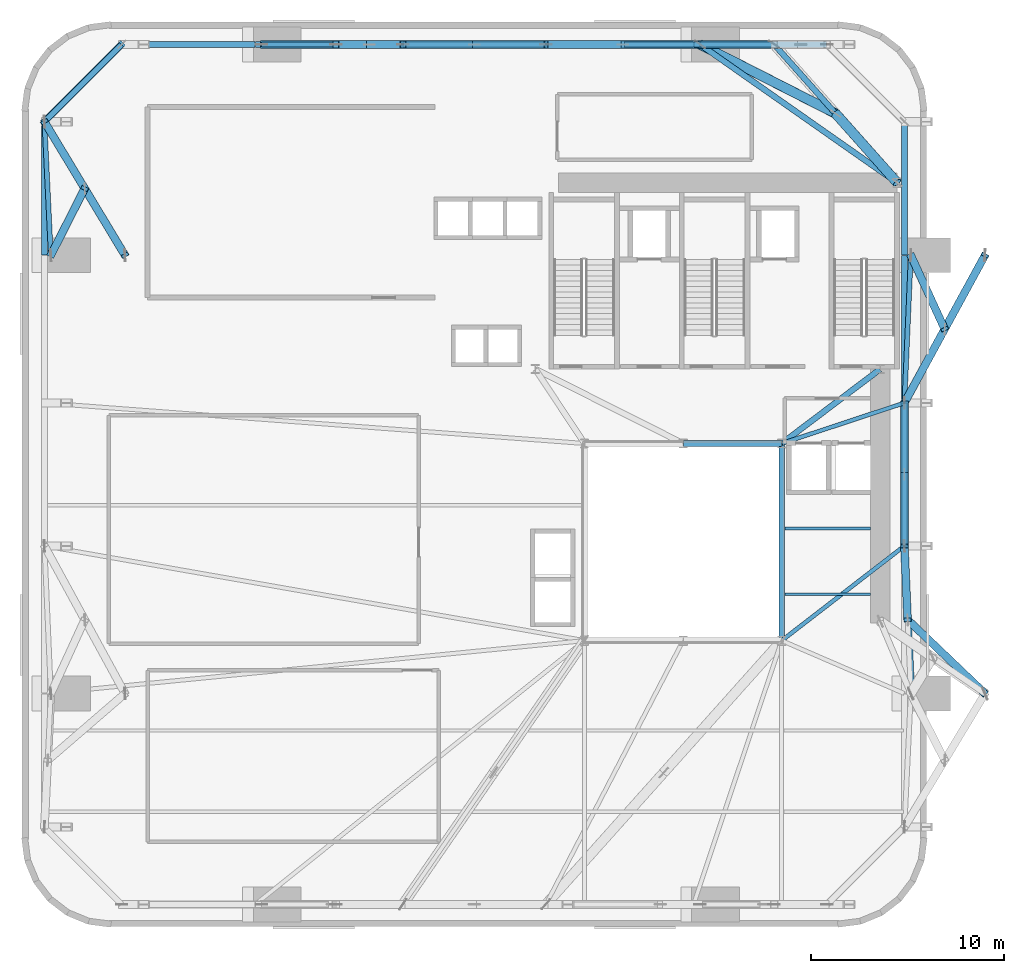
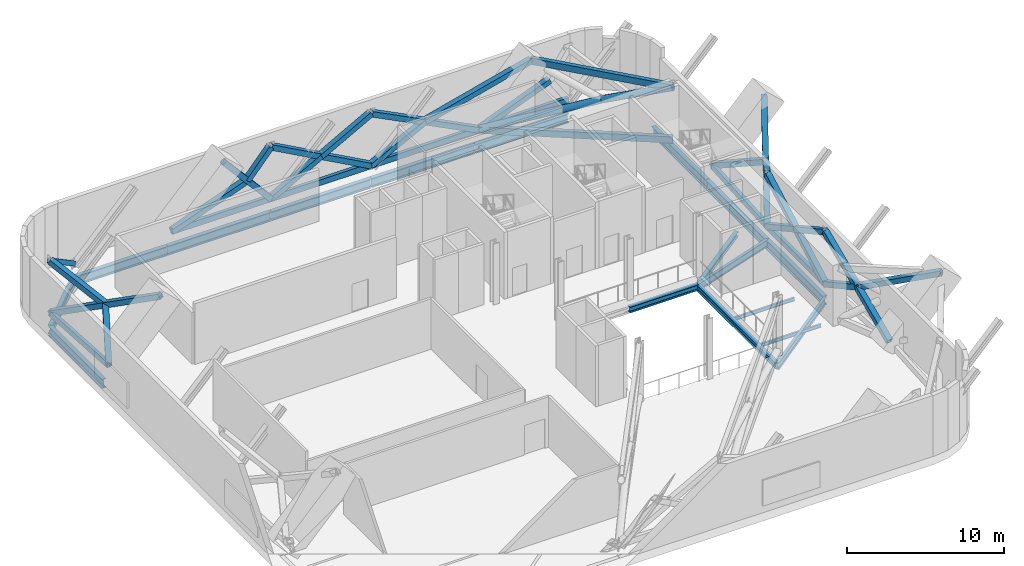
# One storey, part 3 of 12: 34 members, 17 beams.
"""IFC4 building model written with IfcOpenShell, lengths in metres."""

from ifc_helpers import new_model, si_unit, direction, frame, origin, origin_2d, place, context, subcontext, project, spatial, hollow_rectangle, hollow_circle, i_section, extrude, source, transform, mapped, material, material_profile, profile_set, type_object, element, save


model = new_model("IFC4")

# Units and contexts
model_context = context("Model", 3, precision=1e-05, world=origin(), true_north=direction((0.0, 1.0)))
body_context = subcontext(model_context, "Body", "Model", "MODEL_VIEW")
ifc_project = project(units=[si_unit("LENGTHUNIT", "METRE"), si_unit("AREAUNIT", "SQUARE_METRE"), si_unit("VOLUMEUNIT", "CUBIC_METRE"), si_unit("PLANEANGLEUNIT", "RADIAN"), si_unit("MASSUNIT", "GRAM", prefix="KILO")], contexts=[model_context])

# Site, building, storey
site_placement = place(None, origin())
site = spatial("IfcSite", under=ifc_project, at=site_placement, CompositionType="ELEMENT")
building_placement = place(site_placement, origin())
building = spatial("IfcBuilding", under=site, at=building_placement, Name="Vardaveli Station Tower", CompositionType="ELEMENT")
storey_placement = place(building_placement, frame((0.0, 0.0, 93.300048828125)))
storey = spatial("IfcBuildingStorey", under=building, at=storey_placement, Name="L24", CompositionType="ELEMENT", Elevation=93.300048828125)

# Beams
ifc_material_1 = material(Name="Structural steel S355J2", Category="steel")
ifc_material_profile_1 = material_profile(ifc_material_1, i_section(OverallWidth=0.300048828125, OverallDepth=0.449951171875, WebThickness=0.013916015625, FlangeThickness=0.02587890625, FilletRadius=0.027099609375, at=origin_2d()), Name="HEB 450")
ifc_profile_set_1 = profile_set([ifc_material_profile_1], Name="Structural steel S355J2")
beam_type_1 = type_object("IfcBeamType", Name="BM-HEB450", PredefinedType="BEAM", material=ifc_profile_set_1)
shared_shape_1 = source(origin(), body_context, "Body", "SweptSolid", [
    extrude(i_section(OverallWidth=0.300048828125, OverallDepth=0.449951171875, WebThickness=0.013916015625, FlangeThickness=0.02587890625, FilletRadius=0.027099609375, at=origin_2d()), origin(), (0.0, 0.0, 1.0), 5.059814453125),
])
beam_1_placement = place(storey_placement, frame((41.3798828125, 26.800048828125, -0.875), z_axis=(-1.0, 0.0, 0.0), x_axis=(0.0, -1.0, 0.0)))
element("IfcBeam", 1, at=beam_1_placement, inside=storey, type_object=beam_type_1, Name="ABM-L24-04", PredefinedType="BEAM", context=body_context, shape_type="MappedRepresentation", body=[
    mapped(shared_shape_1, transform((0.0, 0.0, 0.0), scale=1.0)),
])
shared_shape_2 = source(origin(), body_context, "Body", "SweptSolid", [
    extrude(i_section(OverallWidth=0.300048828125, OverallDepth=0.449951171875, WebThickness=0.013916015625, FlangeThickness=0.02587890625, FilletRadius=0.027099609375, at=origin_2d()), origin(), (0.0, 0.0, 1.0), 10.159912109375),
])
beam_2_placement = place(storey_placement, frame((41.39990234375, 16.6201171875, -0.875), z_axis=(0.0, 1.0, 0.0), x_axis=(-1.0, 0.0, 0.0)))
element("IfcBeam", 2, at=beam_2_placement, inside=storey, type_object=beam_type_1, Name="ABM-L24-03", PredefinedType="BEAM", context=body_context, shape_type="MappedRepresentation", body=[
    mapped(shared_shape_2, transform((0.0, 0.0, 0.0), scale=1.0)),
])
ifc_material_profile_2 = material_profile(ifc_material_1, i_section(OverallWidth=0.300048828125, OverallDepth=0.360107421875, WebThickness=0.012451171875, FlangeThickness=0.0224609375, FilletRadius=0.027099609375, at=origin_2d()), Name="HEB 360")
ifc_profile_set_2 = profile_set([ifc_material_profile_2], Name="Structural steel S355J2")
beam_type_2 = type_object("IfcBeamType", Name="BM-HEB360", PredefinedType="BEAM", material=ifc_profile_set_2)
shared_shape_3 = source(origin(), body_context, "Body", "SweptSolid", [
    extrude(i_section(OverallWidth=0.300048828125, OverallDepth=0.360107421875, WebThickness=0.012451171875, FlangeThickness=0.0224609375, FilletRadius=0.027099609375, at=origin_2d()), origin(), (0.0, 0.0, 1.0), 6.35009765625),
])
beam_3_placement = place(storey_placement, frame((41.416015625, 26.81201171875, -0.830078125), z_axis=(0.798118337722, 0.602500721154, 0.0), x_axis=(-0.602500721154, 0.798118337722, 0.0)))
element("IfcBeam", 3, at=beam_3_placement, inside=storey, type_object=beam_type_2, Name="CBM-L24-02", PredefinedType="BEAM", context=body_context, shape_type="MappedRepresentation", body=[
    mapped(shared_shape_3, transform((0.0, 0.0, 0.0), scale=1.0)),
])
ifc_material_profile_3 = material_profile(ifc_material_1, i_section(OverallWidth=0.135009765625, OverallDepth=0.27001953125, WebThickness=0.006591796875, FlangeThickness=0.01025390625, FilletRadius=0.014892578125, at=origin_2d()), Name="IPE 270")
ifc_profile_set_3 = profile_set([ifc_material_profile_3], Name="Structural steel S355J2")
beam_type_3 = type_object("IfcBeamType", Name="BM-IPE270", PredefinedType="BEAM", material=ifc_profile_set_3)
shared_shape_4 = source(origin(), body_context, "Body", "SweptSolid", [
    extrude(i_section(OverallWidth=0.135009765625, OverallDepth=0.27001953125, WebThickness=0.006591796875, FlangeThickness=0.01025390625, FilletRadius=0.014892578125, at=origin_2d()), origin(), (0.0, 0.0, 1.0), 4.43017578125),
])
for number, where, z_axis, x_axis, name in (
    (4, (41.56494140625, 19.0, -0.78515625), (1.0, 0.0, 0.0), (0.0, 1.0, 0.0), "TJ-L24-01"),
    (5, (41.56494140625, 22.39990234375, -0.78515625), (1.0, 0.0, 0.0), (0.0, 1.0, 0.0), "TJ-L24-02"),
):
    element("IfcBeam", number, at=place(storey_placement, frame(where, z_axis=z_axis, x_axis=x_axis)), inside=storey, type_object=beam_type_3, Name=name, PredefinedType="BEAM", context=body_context, shape_type="MappedRepresentation", body=[
        mapped(shared_shape_4, transform((0.0, 0.0, 0.0), scale=1.0)),
    ])
ifc_material_2 = material(Name="Structural steel S460M", Category="steel")
ifc_material_profile_4 = material_profile(ifc_material_2, i_section(OverallWidth=0.303955078125, OverallDepth=0.716064453125, WebThickness=0.02099609375, FlangeThickness=0.0400390625, FilletRadius=0.027099609375, at=origin_2d()), Name="HEM 700")
ifc_profile_set_4 = profile_set([ifc_material_profile_4], Name="Structural steel S460M")
beam_type_4 = type_object("IfcBeamType", Name="BM-HEM700", PredefinedType="BEAM", material=ifc_profile_set_4)
shared_shape_5 = source(origin(), body_context, "Body", "SweptSolid", [
    extrude(i_section(OverallWidth=0.303955078125, OverallDepth=0.716064453125, WebThickness=0.02099609375, FlangeThickness=0.0400390625, FilletRadius=0.027099609375, at=origin_2d()), origin(), (0.0, 0.0, 1.0), 7.60009765625),
])
for number, where, z_axis, x_axis, name in (
    (6, (47.75, 28.919921875, -1.008056640625), (0.0, 1.0, 0.0), (-1.0, 0.0, 0.0), "RBM-L24-09"),
    (7, (36.820068359375, 47.449951171875, -1.008056640625), (-1.0, 0.0, 0.0), (0.0, -1.0, 0.0), "RBM-L24-13"),
    (8, (21.780029296875, 47.449951171875, -1.008056640625), (-1.0, 0.0, 0.0), (0.0, -1.0, 0.0), "RBM-L24-15"),
):
    element("IfcBeam", number, at=place(storey_placement, frame(where, z_axis=z_axis, x_axis=x_axis)), inside=storey, type_object=beam_type_4, Name=name, PredefinedType="BEAM", context=body_context, shape_type="MappedRepresentation", body=[
        mapped(shared_shape_5, transform((0.0, 0.0, 0.0), scale=1.0)),
    ])
shared_shape_6 = source(origin(), body_context, "Body", "SweptSolid", [
    extrude(i_section(OverallWidth=0.303955078125, OverallDepth=0.716064453125, WebThickness=0.02099609375, FlangeThickness=0.0400390625, FilletRadius=0.027099609375, at=origin_2d()), origin(), (0.0, 0.0, 1.0), 7.35986328125),
])
for number, where, z_axis, x_axis, name in (
    (9, (47.75, 21.52001953125, -1.008056640625), (0.0, 1.0, 0.0), (-1.0, 0.0, 0.0), "RBM-L24-08"),
    (10, (29.179931640625, 47.449951171875, -1.008056640625), (-1.0, 0.0, 0.0), (0.0, -1.0, 0.0), "RBM-L24-14"),
):
    element("IfcBeam", number, at=place(storey_placement, frame(where, z_axis=z_axis, x_axis=x_axis)), inside=storey, type_object=beam_type_4, Name=name, PredefinedType="BEAM", context=body_context, shape_type="MappedRepresentation", body=[
        mapped(shared_shape_6, transform((0.0, 0.0, 0.0), scale=1.0)),
    ])
shared_shape_7 = source(origin(), body_context, "Body", "SweptSolid", [
    extrude(i_section(OverallWidth=0.303955078125, OverallDepth=0.716064453125, WebThickness=0.02099609375, FlangeThickness=0.0400390625, FilletRadius=0.027099609375, at=origin_2d()), origin(), (0.0, 0.0, 1.0), 6.869873046875),
])
for number, where, z_axis, x_axis, name in (
    (11, (47.75, 36.56005859375, -1.008056640625), (0.0, 1.0, 0.0), (-1.0, 0.0, 0.0), "RBM-L24-10"),
    (12, (43.72998046875, 47.449951171875, -1.008056640625), (-1.0, 0.0, 0.0), (0.0, -1.0, 0.0), "RBM-L24-12"),
    (13, (14.139892578125, 47.449951171875, -1.008056640625), (-1.0, 0.0, 0.0), (0.0, -1.0, 0.0), "RBM-L24-16"),
    (14, (3.25, 43.429931640625, -1.008056640625), (0.0, -1.0, 0.0), (1.0, 0.0, 0.0), "RBM-L24-18"),
):
    element("IfcBeam", number, at=place(storey_placement, frame(where, z_axis=z_axis, x_axis=x_axis)), inside=storey, type_object=beam_type_4, Name=name, PredefinedType="BEAM", context=body_context, shape_type="MappedRepresentation", body=[
        mapped(shared_shape_7, transform((0.0, 0.0, 0.0), scale=1.0)),
    ])
shared_shape_8 = source(origin(), body_context, "Body", "SweptSolid", [
    extrude(i_section(OverallWidth=0.303955078125, OverallDepth=0.716064453125, WebThickness=0.02099609375, FlangeThickness=0.0400390625, FilletRadius=0.027099609375, at=origin_2d()), origin(), (0.0, 0.0, 1.0), 5.61669921875),
])
beam_4_placement = place(storey_placement, frame((7.23583984375, 47.435791015625, -1.008056640625), z_axis=(-0.707106781187, -0.707106781187, 0.0), x_axis=(0.707106781187, -0.707106781187, 0.0)))
element("IfcBeam", 15, at=beam_4_placement, inside=storey, type_object=beam_type_4, Name="RBM-L24-17", PredefinedType="BEAM", context=body_context, shape_type="MappedRepresentation", body=[
    mapped(shared_shape_8, transform((0.0, 0.0, 0.0), scale=1.0)),
])
ifc_material_profile_5 = material_profile(ifc_material_1, i_section(OverallWidth=0.2099609375, OverallDepth=0.550048828125, WebThickness=0.010986328125, FlangeThickness=0.01708984375, FilletRadius=0.02392578125, at=origin_2d()), Name="IPE 550")
ifc_profile_set_5 = profile_set([ifc_material_profile_5], Name="Structural steel S355J2")
beam_type_5 = type_object("IfcBeamType", Name="BM-IPE550", PredefinedType="BEAM", material=ifc_profile_set_5)
shared_shape_9 = source(origin(), body_context, "Body", "SweptSolid", [
    extrude(i_section(OverallWidth=0.2099609375, OverallDepth=0.550048828125, WebThickness=0.010986328125, FlangeThickness=0.01708984375, FilletRadius=0.02392578125, at=origin_2d()), origin(), (0.0, 0.0, 1.0), 7.980712890625),
])
beam_5_placement = place(storey_placement, frame((47.734130859375, 21.48779296875, -0.925048828125), z_axis=(-0.791701934907, -0.610907559509, 0.0), x_axis=(0.610907559509, -0.791701934907, 0.0)))
element("IfcBeam", 16, at=beam_5_placement, inside=storey, type_object=beam_type_5, Name="GBM-L24-06", PredefinedType="BEAM", context=body_context, shape_type="MappedRepresentation", body=[
    mapped(shared_shape_9, transform((0.0, 0.0, 0.0), scale=1.0)),
])
shared_shape_10 = source(origin(), body_context, "Body", "SweptSolid", [
    extrude(i_section(OverallWidth=0.2099609375, OverallDepth=0.550048828125, WebThickness=0.010986328125, FlangeThickness=0.01708984375, FilletRadius=0.02392578125, at=origin_2d()), origin(), (0.0, 0.0, 1.0), 6.648193359375),
])
beam_6_placement = place(storey_placement, frame((47.73095703125, 28.893798828125, -0.925048828125), z_axis=(-0.949429779906, -0.313979446824, 0.0), x_axis=(0.313979446824, -0.949429779906, 0.0)))
element("IfcBeam", 17, at=beam_6_placement, inside=storey, type_object=beam_type_5, Name="GBM-L24-07", PredefinedType="BEAM", context=body_context, shape_type="MappedRepresentation", body=[
    mapped(shared_shape_10, transform((0.0, 0.0, 0.0), scale=1.0)),
])

# Members
ifc_material_profile_6 = material_profile(ifc_material_2, hollow_rectangle(XDim=0.300048828125, YDim=0.5, WallThickness=0.02001953125, at=origin_2d()), Name="RHS 500x300x20")
ifc_profile_set_6 = profile_set([ifc_material_profile_6], Name="Structural steel S460M")
member_type_1 = type_object("IfcMemberType", Name="MEM-CH-RHS500", PredefinedType="CHORD", material=ifc_profile_set_6)
shared_shape_11 = source(origin(), body_context, "Body", "SweptSolid", [
    extrude(hollow_rectangle(XDim=0.300048828125, YDim=0.5, WallThickness=0.02001953125, at=origin_2d()), origin(), (0.0, 0.0, 1.0), 12.455078125),
])
member_1_placement = place(storey_placement, frame((47.3701171875, 40.300048828125, 0.349853515625), z_axis=(-0.818818231913, 0.574052874819, 0.0), x_axis=(-0.574052874819, -0.818818231913, 0.0)))
element("IfcMember", 18, at=member_1_placement, inside=storey, type_object=member_type_1, Name="OUT-L24-OA4-CHB", PredefinedType="CHORD", context=body_context, shape_type="MappedRepresentation", body=[
    mapped(shared_shape_11, transform((0.0, 0.0, 0.0), scale=1.0)),
])
shared_shape_12 = source(origin(), body_context, "Body", "SweptSolid", [
    extrude(hollow_rectangle(XDim=0.300048828125, YDim=0.5, WallThickness=0.02001953125, at=origin_2d()), origin(), (0.0, 0.0, 1.0), 9.570556640625),
])
member_2_placement = place(storey_placement, frame((47.3701171875, 40.300048828125, 4.39990234375), z_axis=(-0.664734264995, 0.747079886586, 0.0), x_axis=(-0.747079886586, -0.664734264995, 0.0)))
element("IfcMember", 19, at=member_2_placement, inside=storey, type_object=member_type_1, Name="OUT-L24-OA4-CHT", PredefinedType="CHORD", context=body_context, shape_type="MappedRepresentation", body=[
    mapped(shared_shape_12, transform((0.0, 0.0, 0.0), scale=1.0)),
])
ifc_material_profile_7 = material_profile(ifc_material_2, hollow_circle(Radius=0.25390625, WallThickness=0.02490234375, at=origin_2d()), Name="CHS 508x25")
ifc_profile_set_7 = profile_set([ifc_material_profile_7], Name="Structural steel S460M")
member_type_2 = type_object("IfcMemberType", Name="MEM-BR-CHS508", PredefinedType="BRACE", material=ifc_profile_set_7)
shared_shape_13 = source(origin(), body_context, "Body", "SweptSolid", [
    extrude(hollow_circle(Radius=0.25390625, WallThickness=0.02490234375, at=origin_2d()), origin(), (0.0, 0.0, 1.0), 8.1318359375),
])
member_3_placement = place(storey_placement, frame((37.171630859375, 47.449951171875, 0.349853515625), z_axis=(0.862968415296, -0.439620320943, 0.24903712096), x_axis=(0.453921602039, 0.891041625965, 0.0)))
element("IfcMember", 20, at=member_3_placement, inside=storey, type_object=member_type_2, Name="OUT-L24-OA4-D2A", PredefinedType="BRACE", context=body_context, shape_type="MappedRepresentation", body=[
    mapped(shared_shape_13, transform((0.0, 0.0, 0.0), scale=1.0)),
])
shared_shape_14 = source(origin(), body_context, "Body", "SweptSolid", [
    extrude(hollow_circle(Radius=0.25390625, WallThickness=0.02490234375, at=origin_2d()), origin(), (0.0, 0.0, 1.0), 5.196044921875),
])
member_4_placement = place(storey_placement, frame((44.189208984375, 43.875, 2.375), z_axis=(0.612181006743, -0.688016461872, 0.389702146744), x_axis=(0.747079886586, 0.664734264995, 0.0)))
element("IfcMember", 21, at=member_4_placement, inside=storey, type_object=member_type_2, Name="OUT-L24-OA4-D2B", PredefinedType="BRACE", context=body_context, shape_type="MappedRepresentation", body=[
    mapped(shared_shape_14, transform((0.0, 0.0, 0.0), scale=1.0)),
])
ifc_material_profile_8 = material_profile(ifc_material_2, hollow_rectangle(XDim=0.25, YDim=0.449951171875, WallThickness=0.01611328125, at=origin_2d()), Name="RHS 450x250x16")
ifc_profile_set_8 = profile_set([ifc_material_profile_8], Name="Structural steel S460M")
member_type_3 = type_object("IfcMemberType", Name="MEM-CH-RHS450", PredefinedType="CHORD", material=ifc_profile_set_8)
shared_shape_15 = source(origin(), body_context, "Body", "SweptSolid", [
    extrude(hollow_rectangle(XDim=0.25, YDim=0.449951171875, WallThickness=0.01611328125, at=origin_2d()), origin(), (0.0, 0.0, 1.0), 7.308349609375),
])
member_5_placement = place(storey_placement, frame((21.800048828125, 47.449951171875, 0.349853515625), z_axis=(-1.0, 0.0, 0.0), x_axis=(0.0, -1.0, 0.0)))
element("IfcMember", 22, at=member_5_placement, inside=storey, type_object=member_type_3, Name="BLT-L24-CH-12", PredefinedType="CHORD", context=body_context, shape_type="MappedRepresentation", body=[
    mapped(shared_shape_15, transform((0.0, 0.0, 0.0), scale=1.0)),
])
shared_shape_16 = source(origin(), body_context, "Body", "SweptSolid", [
    extrude(hollow_rectangle(XDim=0.25, YDim=0.449951171875, WallThickness=0.01611328125, at=origin_2d()), origin(), (0.0, 0.0, 1.0), 7.39990234375),
])
for number, where, z_axis, x_axis, name in (
    (23, (47.75, 21.5, 0.349853515625), (0.0, 1.0, 0.0), (-1.0, 0.0, 0.0), "BLT-L24-CH-07"),
    (24, (29.199951171875, 47.449951171875, 0.349853515625), (-1.0, 0.0, 0.0), (0.0, -1.0, 0.0), "BLT-L24-CH-11"),
):
    element("IfcMember", number, at=place(storey_placement, frame(where, z_axis=z_axis, x_axis=x_axis)), inside=storey, type_object=member_type_3, Name=name, PredefinedType="CHORD", context=body_context, shape_type="MappedRepresentation", body=[
        mapped(shared_shape_16, transform((0.0, 0.0, 0.0), scale=1.0)),
    ])
ifc_material_profile_9 = material_profile(ifc_material_2, hollow_rectangle(XDim=0.39990234375, YDim=0.39990234375, WallThickness=0.02001953125, at=origin_2d()), Name="RHS 400x400x20")
ifc_profile_set_9 = profile_set([ifc_material_profile_9], Name="Structural steel S460M")
member_type_4 = type_object("IfcMemberType", Name="MEM-BR-RHS400", PredefinedType="BRACE", material=ifc_profile_set_9)
shared_shape_17 = source(origin(), body_context, "Body", "SweptSolid", [
    extrude(hollow_rectangle(XDim=0.39990234375, YDim=0.39990234375, WallThickness=0.02001953125, at=origin_2d()), origin(), (0.0, 0.0, 1.0), 8.435791015625),
])
for number, where, z_axis, x_axis, name in (
    (25, (47.75, 21.5, 0.349853515625), (0.0, 0.877210039359, 0.480106807751), (-1.0, 0.0, 0.0), "BLT-L24-D1-07"),
    (26, (29.199951171875, 47.449951171875, 0.349853515625), (-0.877210039359, 0.0, 0.480106807751), (0.0, -1.0, 0.0), "BLT-L24-D1-11"),
):
    element("IfcMember", number, at=place(storey_placement, frame(where, z_axis=z_axis, x_axis=x_axis)), inside=storey, type_object=member_type_4, Name=name, PredefinedType="BRACE", context=body_context, shape_type="MappedRepresentation", body=[
        mapped(shared_shape_17, transform((0.0, 0.0, 0.0), scale=1.0)),
    ])
shared_shape_18 = source(origin(), body_context, "Body", "SweptSolid", [
    extrude(hollow_rectangle(XDim=0.39990234375, YDim=0.39990234375, WallThickness=0.02001953125, at=origin_2d()), origin(), (0.0, 0.0, 1.0), 4.218017578125),
])
for number, where, z_axis, x_axis, name in (
    (27, (47.75, 28.89990234375, 0.349853515625), (0.0, -0.877197850497, 0.480129077524), (1.0, 0.0, 0.0), "BLT-L24-D2A-07"),
    (28, (21.800048828125, 47.449951171875, 0.349853515625), (0.877197850497, 0.0, 0.480129077524), (0.0, 1.0, 0.0), "BLT-L24-D2A-11"),
):
    element("IfcMember", number, at=place(storey_placement, frame(where, z_axis=z_axis, x_axis=x_axis)), inside=storey, type_object=member_type_4, Name=name, PredefinedType="BRACE", context=body_context, shape_type="MappedRepresentation", body=[
        mapped(shared_shape_18, transform((0.0, 0.0, 0.0), scale=1.0)),
    ])
shared_shape_19 = source(origin(), body_context, "Body", "SweptSolid", [
    extrude(hollow_rectangle(XDim=0.39990234375, YDim=0.39990234375, WallThickness=0.02001953125, at=origin_2d()), origin(), (0.0, 0.0, 1.0), 4.2177734375),
])
for number, where, z_axis, x_axis, name in (
    (29, (47.75, 25.199951171875, 2.375), (0.0, -0.877222227994, 0.480084537049), (1.0, 0.0, 0.0), "BLT-L24-D2B-07"),
    (30, (25.5, 47.449951171875, 2.375), (0.877222227994, 0.0, 0.480084537049), (0.0, 1.0, 0.0), "BLT-L24-D2B-11"),
):
    element("IfcMember", number, at=place(storey_placement, frame(where, z_axis=z_axis, x_axis=x_axis)), inside=storey, type_object=member_type_4, Name=name, PredefinedType="BRACE", context=body_context, shape_type="MappedRepresentation", body=[
        mapped(shared_shape_19, transform((0.0, 0.0, 0.0), scale=1.0)),
    ])
shared_shape_20 = source(origin(), body_context, "Body", "SweptSolid", [
    extrude(hollow_rectangle(XDim=0.25, YDim=0.449951171875, WallThickness=0.01611328125, at=origin_2d()), origin(), (0.0, 0.0, 1.0), 7.9716796875),
])
member_6_placement = place(storey_placement, frame((37.171630859375, 47.449951171875, 0.349853515625), z_axis=(-1.0, 0.0, 0.0), x_axis=(0.0, -1.0, 0.0)))
element("IfcMember", 31, at=member_6_placement, inside=storey, type_object=member_type_3, Name="BLT-L24-CH-10", PredefinedType="CHORD", context=body_context, shape_type="MappedRepresentation", body=[
    mapped(shared_shape_20, transform((0.0, 0.0, 0.0), scale=1.0)),
])
shared_shape_21 = source(origin(), body_context, "Body", "SweptSolid", [
    extrude(hollow_rectangle(XDim=0.25, YDim=0.449951171875, WallThickness=0.01611328125, at=origin_2d()), origin(), (0.0, 0.0, 1.0), 6.578369140625),
])
member_7_placement = place(storey_placement, frame((43.75, 47.449951171875, 0.349853515625), z_axis=(-1.0, 0.0, 0.0), x_axis=(0.0, -1.0, 0.0)))
element("IfcMember", 32, at=member_7_placement, inside=storey, type_object=member_type_3, Name="BLT-L24-CH-09", PredefinedType="CHORD", context=body_context, shape_type="MappedRepresentation", body=[
    mapped(shared_shape_21, transform((0.0, 0.0, 0.0), scale=1.0)),
])
shared_shape_22 = source(origin(), body_context, "Body", "SweptSolid", [
    extrude(hollow_rectangle(XDim=0.39990234375, YDim=0.39990234375, WallThickness=0.02001953125, at=origin_2d()), origin(), (0.0, 0.0, 1.0), 4.37158203125),
])
member_8_placement = place(storey_placement, frame((3.58154296875, 36.5400390625, 0.349853515625), z_axis=(0.400927479956, 0.790350424341, 0.463253022181), x_axis=(-0.89181581989, 0.452398655384, 0.0)))
element("IfcMember", 33, at=member_8_placement, inside=storey, type_object=member_type_4, Name="BLT-L24-D2A-13", PredefinedType="BRACE", context=body_context, shape_type="MappedRepresentation", body=[
    mapped(shared_shape_22, transform((0.0, 0.0, 0.0), scale=1.0)),
])
shared_shape_23 = source(origin(), body_context, "Body", "SweptSolid", [
    extrude(hollow_rectangle(XDim=0.39990234375, YDim=0.39990234375, WallThickness=0.02001953125, at=origin_2d()), origin(), (0.0, 0.0, 1.0), 8.6533203125),
])
member_9_placement = place(storey_placement, frame((48.08154296875, 13.860107421875, 0.349853515625), z_axis=(-0.038313749646, 0.882880830382, 0.468031511687), x_axis=(-0.999059709035, -0.043355481573, 0.0)))
element("IfcMember", 34, at=member_9_placement, inside=storey, type_object=member_type_4, Name="BLT-L24-D1-06", PredefinedType="BRACE", context=body_context, shape_type="MappedRepresentation", body=[
    mapped(shared_shape_23, transform((0.0, 0.0, 0.0), scale=1.0)),
])
shared_shape_24 = source(origin(), body_context, "Body", "SweptSolid", [
    extrude(hollow_rectangle(XDim=0.39990234375, YDim=0.39990234375, WallThickness=0.02001953125, at=origin_2d()), origin(), (0.0, 0.0, 1.0), 4.326904296875),
])
member_10_placement = place(storey_placement, frame((47.75, 21.5, 0.349853515625), z_axis=(0.038312289417, -0.882875393965, 0.468041886172), x_axis=(0.999059769044, 0.043354098753, 0.0)))
element("IfcMember", 35, at=member_10_placement, inside=storey, type_object=member_type_4, Name="BLT-L24-D2A-06", PredefinedType="BRACE", context=body_context, shape_type="MappedRepresentation", body=[
    mapped(shared_shape_24, transform((0.0, 0.0, 0.0), scale=1.0)),
])
shared_shape_25 = source(origin(), body_context, "Body", "SweptSolid", [
    extrude(hollow_rectangle(XDim=0.39990234375, YDim=0.39990234375, WallThickness=0.02001953125, at=origin_2d()), origin(), (0.0, 0.0, 1.0), 5.891845703125),
])
member_11_placement = place(storey_placement, frame((47.915771484375, 17.679931640625, 2.375), z_axis=(0.679370659398, -0.648333841838, 0.343684065206), x_axis=(0.69038863542, 0.72343868578, 0.0)))
element("IfcMember", 36, at=member_11_placement, inside=storey, type_object=member_type_4, Name="BLT-L24-D2B-06", PredefinedType="BRACE", context=body_context, shape_type="MappedRepresentation", body=[
    mapped(shared_shape_25, transform((0.0, 0.0, 0.0), scale=1.0)),
])
shared_shape_26 = source(origin(), body_context, "Body", "SweptSolid", [
    extrude(hollow_rectangle(XDim=0.25, YDim=0.449951171875, WallThickness=0.01611328125, at=origin_2d()), origin(), (0.0, 0.0, 1.0), 7.647216796875),
])
member_12_placement = place(storey_placement, frame((47.75, 28.89990234375, 0.349853515625), z_axis=(0.043354098753, 0.999059769044, 0.0), x_axis=(-0.999059769044, 0.043354098753, 0.0)))
element("IfcMember", 37, at=member_12_placement, inside=storey, type_object=member_type_3, Name="BLT-L24-CH-08", PredefinedType="CHORD", context=body_context, shape_type="MappedRepresentation", body=[
    mapped(shared_shape_26, transform((0.0, 0.0, 0.0), scale=1.0)),
])
shared_shape_27 = source(origin(), body_context, "Body", "SweptSolid", [
    extrude(hollow_rectangle(XDim=0.39990234375, YDim=0.39990234375, WallThickness=0.02001953125, at=origin_2d()), origin(), (0.0, 0.0, 1.0), 9.599609375),
])
member_13_placement = place(storey_placement, frame((47.75, 28.89990234375, 0.349853515625), z_axis=(0.434236376103, 0.795888084442, 0.421901560453), x_axis=(-0.877841965924, 0.478950397079, 0.0)))
element("IfcMember", 38, at=member_13_placement, inside=storey, type_object=member_type_4, Name="BLT-L24-D1-08", PredefinedType="BRACE", context=body_context, shape_type="MappedRepresentation", body=[
    mapped(shared_shape_27, transform((0.0, 0.0, 0.0), scale=1.0)),
])
shared_shape_28 = source(origin(), body_context, "Body", "SweptSolid", [
    extrude(hollow_rectangle(XDim=0.39990234375, YDim=0.39990234375, WallThickness=0.02001953125, at=origin_2d()), origin(), (0.0, 0.0, 1.0), 4.66552734375),
])
member_14_placement = place(storey_placement, frame((48.08154296875, 36.5400390625, 0.349853515625), z_axis=(0.375676667061, -0.818806631773, 0.434076884423), x_axis=(0.908900656286, 0.417012706045, 0.0)))
element("IfcMember", 39, at=member_14_placement, inside=storey, type_object=member_type_4, Name="BLT-L24-D2A-08", PredefinedType="BRACE", context=body_context, shape_type="MappedRepresentation", body=[
    mapped(shared_shape_28, transform((0.0, 0.0, 0.0), scale=1.0)),
])
shared_shape_29 = source(origin(), body_context, "Body", "SweptSolid", [
    extrude(hollow_rectangle(XDim=0.39990234375, YDim=0.39990234375, WallThickness=0.02001953125, at=origin_2d()), origin(), (0.0, 0.0, 1.0), 4.7998046875),
])
member_15_placement = place(storey_placement, frame((49.834228515625, 32.719970703125, 2.375), z_axis=(-0.434241035419, -0.795896624247, 0.421880654535), x_axis=(0.877841965924, -0.478950397079, 0.0)))
element("IfcMember", 40, at=member_15_placement, inside=storey, type_object=member_type_4, Name="BLT-L24-D2B-08", PredefinedType="BRACE", context=body_context, shape_type="MappedRepresentation", body=[
    mapped(shared_shape_29, transform((0.0, 0.0, 0.0), scale=1.0)),
])
shared_shape_30 = source(origin(), body_context, "Body", "SweptSolid", [
    extrude(hollow_rectangle(XDim=0.39990234375, YDim=0.39990234375, WallThickness=0.02001953125, at=origin_2d()), origin(), (0.0, 0.0, 1.0), 5.58740234375),
])
member_16_placement = place(storey_placement, frame((37.171630859375, 47.449951171875, 0.349853515625), z_axis=(0.932004671541, 0.0, 0.362446261155), x_axis=(0.0, 1.0, 0.0)))
element("IfcMember", 41, at=member_16_placement, inside=storey, type_object=member_type_4, Name="BLT-L24-D2A-09", PredefinedType="BRACE", context=body_context, shape_type="MappedRepresentation", body=[
    mapped(shared_shape_30, transform((0.0, 0.0, 0.0), scale=1.0)),
])
shared_shape_31 = source(origin(), body_context, "Body", "SweptSolid", [
    extrude(hollow_rectangle(XDim=0.39990234375, YDim=0.39990234375, WallThickness=0.02001953125, at=origin_2d()), origin(), (0.0, 0.0, 1.0), 8.94140625),
])
member_17_placement = place(storey_placement, frame((37.171630859375, 47.449951171875, 0.349853515625), z_axis=(-0.891536341157, 0.0, 0.452949171979), x_axis=(0.0, -1.0, 0.0)))
element("IfcMember", 42, at=member_17_placement, inside=storey, type_object=member_type_4, Name="BLT-L24-D1-10", PredefinedType="BRACE", context=body_context, shape_type="MappedRepresentation", body=[
    mapped(shared_shape_31, transform((0.0, 0.0, 0.0), scale=1.0)),
])
shared_shape_32 = source(origin(), body_context, "Body", "SweptSolid", [
    extrude(hollow_rectangle(XDim=0.39990234375, YDim=0.39990234375, WallThickness=0.02001953125, at=origin_2d()), origin(), (0.0, 0.0, 1.0), 4.470703125),
])
member_18_placement = place(storey_placement, frame((29.199951171875, 47.449951171875, 0.349853515625), z_axis=(0.891525315034, 0.0, 0.452970873956), x_axis=(0.0, 1.0, 0.0)))
element("IfcMember", 43, at=member_18_placement, inside=storey, type_object=member_type_4, Name="BLT-L24-D2A-10", PredefinedType="BRACE", context=body_context, shape_type="MappedRepresentation", body=[
    mapped(shared_shape_32, transform((0.0, 0.0, 0.0), scale=1.0)),
])
shared_shape_33 = source(origin(), body_context, "Body", "SweptSolid", [
    extrude(hollow_rectangle(XDim=0.39990234375, YDim=0.39990234375, WallThickness=0.02001953125, at=origin_2d()), origin(), (0.0, 0.0, 1.0), 8.080322265625),
])
member_19_placement = place(storey_placement, frame((33.185791015625, 47.449951171875, 2.375), z_axis=(0.968091704543, 0.0, 0.2505961923), x_axis=(0.0, 1.0, 0.0)))
element("IfcMember", 44, at=member_19_placement, inside=storey, type_object=member_type_4, Name="BLT-L24-D2B-10", PredefinedType="BRACE", context=body_context, shape_type="MappedRepresentation", body=[
    mapped(shared_shape_33, transform((0.0, 0.0, 0.0), scale=1.0)),
])
shared_shape_34 = source(origin(), body_context, "Body", "SweptSolid", [
    extrude(hollow_rectangle(XDim=0.39990234375, YDim=0.39990234375, WallThickness=0.02001953125, at=origin_2d()), origin(), (0.0, 0.0, 1.0), 5.33447265625),
])
member_20_placement = place(storey_placement, frame((21.800048828125, 47.449951171875, 0.349853515625), z_axis=(-0.650813987701, 0.0, 0.759237218142), x_axis=(0.0, -1.0, 0.0)))
element("IfcMember", 45, at=member_20_placement, inside=storey, type_object=member_type_4, Name="BLT-L24-D1-12", PredefinedType="BRACE", context=body_context, shape_type="MappedRepresentation", body=[
    mapped(shared_shape_34, transform((0.0, 0.0, 0.0), scale=1.0)),
])
shared_shape_35 = source(origin(), body_context, "Body", "SweptSolid", [
    extrude(hollow_rectangle(XDim=0.39990234375, YDim=0.39990234375, WallThickness=0.02001953125, at=origin_2d()), origin(), (0.0, 0.0, 1.0), 5.92919921875),
])
member_21_placement = place(storey_placement, frame((14.49169921875, 47.449951171875, 0.349853515625), z_axis=(0.93985952916, 0.0, 0.341561217716), x_axis=(0.0, 1.0, 0.0)))
element("IfcMember", 46, at=member_21_placement, inside=storey, type_object=member_type_4, Name="BLT-L24-D2A-12", PredefinedType="BRACE", context=body_context, shape_type="MappedRepresentation", body=[
    mapped(shared_shape_35, transform((0.0, 0.0, 0.0), scale=1.0)),
])
shared_shape_36 = source(origin(), body_context, "Body", "SweptSolid", [
    extrude(hollow_rectangle(XDim=0.39990234375, YDim=0.39990234375, WallThickness=0.02001953125, at=origin_2d()), origin(), (0.0, 0.0, 1.0), 2.6669921875),
])
member_22_placement = place(storey_placement, frame((20.064208984375, 47.449951171875, 2.375), z_axis=(0.650836602941, 0.0, 0.759217831898), x_axis=(0.0, 1.0, 0.0)))
element("IfcMember", 47, at=member_22_placement, inside=storey, type_object=member_type_4, Name="BLT-L24-D2B-12", PredefinedType="BRACE", context=body_context, shape_type="MappedRepresentation", body=[
    mapped(shared_shape_36, transform((0.0, 0.0, 0.0), scale=1.0)),
])
shared_shape_37 = source(origin(), body_context, "Body", "SweptSolid", [
    extrude(hollow_rectangle(XDim=0.25, YDim=0.449951171875, WallThickness=0.01611328125, at=origin_2d()), origin(), (0.0, 0.0, 1.0), 6.91796875),
])
member_23_placement = place(storey_placement, frame((3.25, 43.449951171875, 0.349853515625), z_axis=(0.047925645, -0.998850906067, 0.0), x_axis=(0.998850906067, 0.047925645, 0.0)))
element("IfcMember", 48, at=member_23_placement, inside=storey, type_object=member_type_3, Name="BLT-L24-CH-13", PredefinedType="CHORD", context=body_context, shape_type="MappedRepresentation", body=[
    mapped(shared_shape_37, transform((0.0, 0.0, 0.0), scale=1.0)),
])
shared_shape_38 = source(origin(), body_context, "Body", "SweptSolid", [
    extrude(hollow_rectangle(XDim=0.39990234375, YDim=0.39990234375, WallThickness=0.02001953125, at=origin_2d()), origin(), (0.0, 0.0, 1.0), 9.029052734375),
])
member_24_placement = place(storey_placement, frame((3.25, 43.449951171875, 0.349853515625), z_axis=(0.46166585472, -0.765288080482, 0.448551883797), x_axis=(0.856259874357, 0.516545281234, 0.0)))
element("IfcMember", 49, at=member_24_placement, inside=storey, type_object=member_type_4, Name="BLT-L24-D1-13", PredefinedType="BRACE", context=body_context, shape_type="MappedRepresentation", body=[
    mapped(shared_shape_38, transform((0.0, 0.0, 0.0), scale=1.0)),
])
shared_shape_39 = source(origin(), body_context, "Body", "SweptSolid", [
    extrude(hollow_rectangle(XDim=0.39990234375, YDim=0.39990234375, WallThickness=0.02001953125, at=origin_2d()), origin(), (0.0, 0.0, 1.0), 4.514404296875),
])
member_25_placement = place(storey_placement, frame((5.334228515625, 39.9951171875, 2.375), z_axis=(-0.461681007537, 0.765286158798, 0.448539566184), x_axis=(-0.856251801881, -0.516558662473, 0.0)))
element("IfcMember", 50, at=member_25_placement, inside=storey, type_object=member_type_4, Name="BLT-L24-D2B-13", PredefinedType="BRACE", context=body_context, shape_type="MappedRepresentation", body=[
    mapped(shared_shape_39, transform((0.0, 0.0, 0.0), scale=1.0)),
])
ifc_material_profile_10 = material_profile(ifc_material_2, hollow_rectangle(XDim=0.35009765625, YDim=0.35009765625, WallThickness=0.01611328125, at=origin_2d()), Name="RHS 350x350x16")
ifc_profile_set_10 = profile_set([ifc_material_profile_10], Name="Structural steel S460M")
member_type_5 = type_object("IfcMemberType", Name="MEM-ST-RHS350", PredefinedType="STRUT", material=ifc_profile_set_10)
shared_shape_40 = source(origin(), body_context, "Body", "SweptSolid", [
    extrude(hollow_rectangle(XDim=0.35009765625, YDim=0.35009765625, WallThickness=0.01611328125, at=origin_2d()), origin(), (0.0, 0.0, 1.0), 6.957275390625),
])
member_26_placement = place(storey_placement, frame((7.25, 47.449951171875, 0.349853515625), z_axis=(-0.574942376987, -0.574942376987, 0.582136175039), x_axis=(0.707106781187, -0.707106781187, 0.0)))
element("IfcMember", 51, at=member_26_placement, inside=storey, type_object=member_type_5, Name="STRUT-L24-4", PredefinedType="STRUT", context=body_context, shape_type="MappedRepresentation", body=[
    mapped(shared_shape_40, transform((0.0, 0.0, 0.0), scale=1.0)),
])

save(model, "model.ifc")
